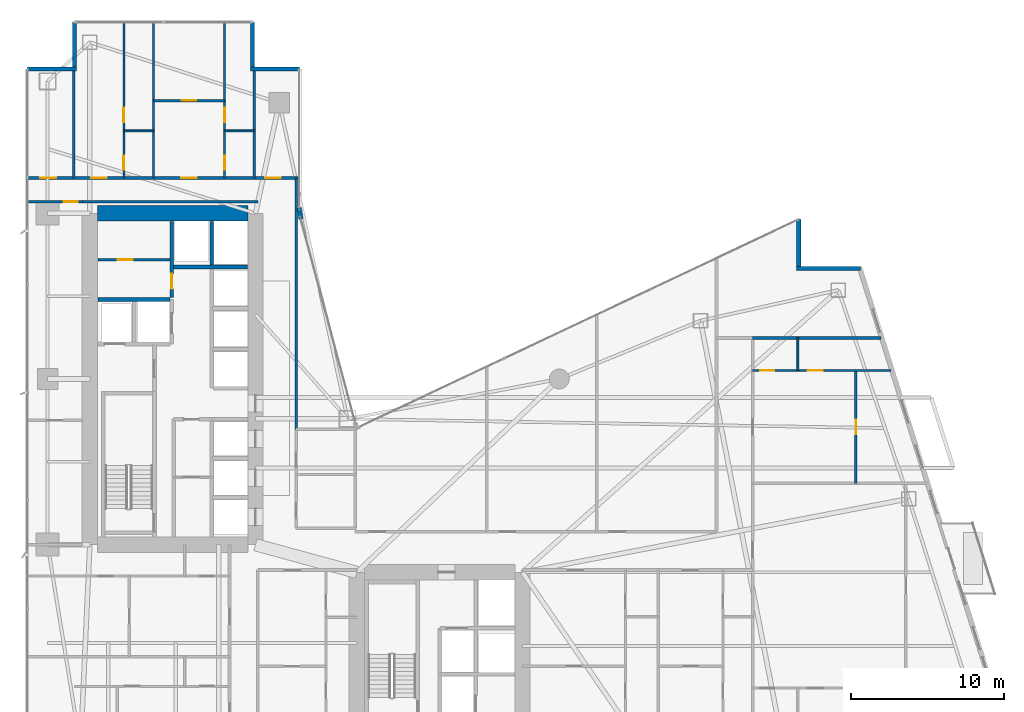
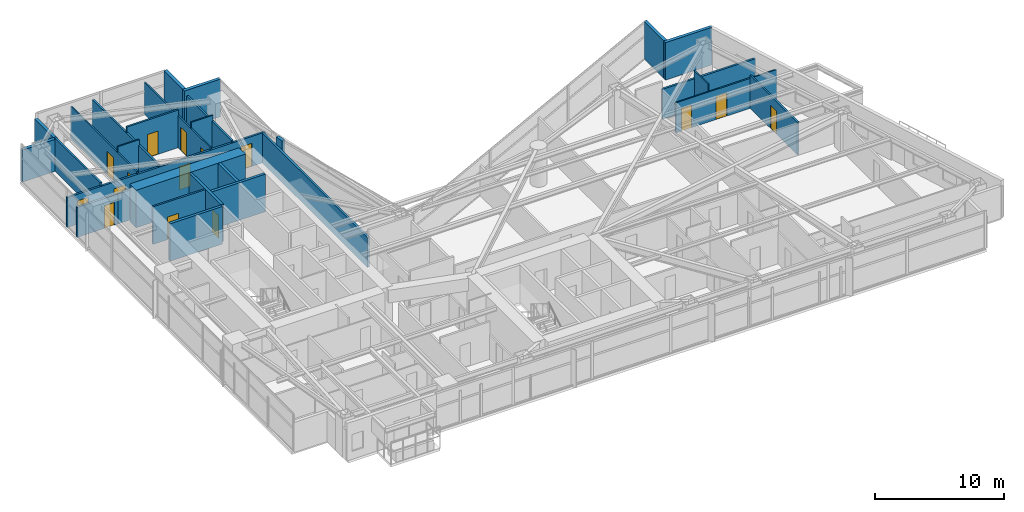
# One storey, part 25 of 29: 29 walls, 15 doors, 15 openings.
"""IFC4 building model written with IfcOpenShell, lengths in metres."""

from ifc_helpers import new_model, si_unit, direction, frame, frame_2d, origin, place, context, subcontext, project, spatial, rectangle, extrude, material, layer, layer_set, type_object, element, fill, save


model = new_model("IFC4")

# Units and contexts
model_context = context("Model", 3, precision=1e-05, world=origin(), true_north=direction((0.0, 1.0)))
body_context = subcontext(model_context, "Body", "Model", "MODEL_VIEW")
ifc_project = project(units=[si_unit("LENGTHUNIT", "METRE"), si_unit("AREAUNIT", "SQUARE_METRE"), si_unit("VOLUMEUNIT", "CUBIC_METRE"), si_unit("PLANEANGLEUNIT", "RADIAN"), si_unit("MASSUNIT", "GRAM", prefix="KILO")], contexts=[model_context])

# Site, building, storey
site_placement = place(None, origin())
site = spatial("IfcSite", under=ifc_project, at=site_placement, CompositionType="ELEMENT")
building_placement = place(site_placement, origin())
building = spatial("IfcBuilding", under=site, at=building_placement, Name="Calvorn Quay Hotel", CompositionType="ELEMENT")
storey_placement = place(building_placement, frame((0.0, 0.0, 38.39990234375)))
storey = spatial("IfcBuildingStorey", under=building, at=storey_placement, Name="L08", CompositionType="ELEMENT", Elevation=38.39990234375)

# Wall
ifc_material_1 = material(Name="Concrete C60", Category="concrete")
ifc_layer_1 = layer(ifc_material_1, 1.0)
ifc_layer_set_1 = layer_set([ifc_layer_1], Name="WL-CORE-1000")
wall_type_1 = type_object("IfcWallType", Name="WL-CORE-1000", PredefinedType="SHEAR", material=ifc_layer_set_1)
wall_1_placement = place(storey_placement, frame((4.699951171875, 38.39990234375, 0.0), z_axis=(0.0, 0.0, 1.0), x_axis=(1.0, 0.0, 0.0)))
element("IfcWall", 1, at=wall_1_placement, inside=storey, type_object=wall_type_1, Name="West Core Shear Wall N (L08)", PredefinedType="SHEAR", context=body_context, shape_type="SweptSolid", body=[
    extrude(rectangle(XDim=9.800048828125, YDim=1.0, at=frame_2d((4.89990234375, 0.0))), origin(), (0.0, 0.0, 1.0), 3.56005859375),
])

# Wall, opening, door
ifc_material_2 = material(Name="Acoustic Fireboard Steel-Stud Partition", Category="steel")
ifc_layer_2 = layer(ifc_material_2, 0.179931640625)
ifc_layer_set_2 = layer_set([ifc_layer_2], Name="WL-CORR-FIRE-180")
wall_type_2 = type_object("IfcWallType", Name="WL-CORR-FIRE-180", PredefinedType="PARTITIONING", material=ifc_layer_set_2)
wall_2_placement = place(storey_placement, frame((0.080078125, 39.14990234375, 0.0), z_axis=(0.0, 0.0, 1.0), x_axis=(1.0, 0.0, 0.0)))
wall_2 = element("IfcWall", 2, at=wall_2_placement, inside=storey, type_object=wall_type_2, Name="Partition Wall L08-WL-WBAY-N-DOOR", PredefinedType="PARTITIONING", context=body_context, shape_type="SweptSolid", body=[
    extrude(rectangle(XDim=3.64990234375, YDim=0.179931640625, at=frame_2d((1.824951171875, 0.0))), origin(), (0.0, 0.0, 1.0), 2.840087890625),
])
opening_1_placement = place(wall_2_placement, frame((2.429931640625, 0.0, 0.0)))
opening_1 = element("IfcOpeningElement", 3, at=opening_1_placement, cuts=wall_2, Name="Opening D-L08-WBN", PredefinedType="OPENING", context=body_context, shape_type="SweptSolid", body=[
    extrude(rectangle(XDim=0.89990234375, YDim=2.14990234375, at=frame_2d((0.449951171875, 1.074951171875))), frame((0.0, 0.099853515625, 0.0), z_axis=(0.0, -1.0, 0.0), x_axis=(1.0, 0.0, 0.0)), (0.0, 0.0, 1.0), 0.199951171875),
])
ifc_material_3 = material(Name="Moisture-Sealed Timber En-Suite Door", Category="wood")
door_type_1 = type_object("IfcDoorType", Name="DR-ENSUITE-900", OperationType="NOTDEFINED", PredefinedType="DOOR", material=ifc_material_3)
door_1_placement = place(opening_1_placement, origin())
door_1 = element("IfcDoor", 4, at=door_1_placement, inside=storey, type_object=door_type_1, Name="West North Bay Door (L08)", OperationType="SINGLE_SWING_LEFT", OverallHeight=2.14990234375, OverallWidth=0.89990234375, PredefinedType="DOOR", context=body_context, shape_type="SweptSolid", body=[
    extrude(rectangle(XDim=0.89990234375, YDim=2.14990234375, at=frame_2d((0.449951171875, 1.074951171875))), frame((0.0, 0.02490234375, 0.0), z_axis=(0.0, -1.0, 0.0), x_axis=(1.0, 0.0, 0.0)), (0.0, 0.0, 1.0), 0.050048828125),
])
fill(opening_1, door_1)

# Wall, openings, doors
wall_3_placement = place(storey_placement, frame((0.080078125, 40.699951171875, 0.0), z_axis=(0.0, 0.0, 1.0), x_axis=(1.0, 0.0, 0.0)))
wall_3 = element("IfcWall", 5, at=wall_3_placement, inside=storey, type_object=wall_type_2, Name="Partition Wall L08-WL-CORR-NW-N", PredefinedType="PARTITIONING", context=body_context, shape_type="SweptSolid", body=[
    extrude(rectangle(XDim=17.77001953125, YDim=0.179931640625, at=frame_2d((8.885009765625, 0.0))), origin(), (0.0, 0.0, 1.0), 2.840087890625),
])
opening_2_placement = place(wall_3_placement, frame((0.89990234375, 0.0, 0.0)))
opening_2 = element("IfcOpeningElement", 6, at=opening_2_placement, cuts=wall_3, Name="Opening D-L08-NWW", PredefinedType="OPENING", context=body_context, shape_type="SweptSolid", body=[
    extrude(rectangle(XDim=1.02001953125, YDim=2.199951171875, at=frame_2d((0.510009765625, 1.10009765625))), frame((0.0, 0.099853515625, 0.0), z_axis=(0.0, -1.0, 0.0), x_axis=(1.0, 0.0, 0.0)), (0.0, 0.0, 1.0), 0.199951171875),
])
opening_3_placement = place(wall_3_placement, frame((4.199951171875, 0.0, 0.0)))
opening_3 = element("IfcOpeningElement", 7, at=opening_3_placement, cuts=wall_3, Name="Opening D-L08-U04", PredefinedType="OPENING", context=body_context, shape_type="SweptSolid", body=[
    extrude(rectangle(XDim=1.02001953125, YDim=2.199951171875, at=frame_2d((0.510009765625, 1.10009765625))), frame((0.0, 0.099853515625, 0.0), z_axis=(0.0, -1.0, 0.0), x_axis=(1.0, 0.0, 0.0)), (0.0, 0.0, 1.0), 0.199951171875),
])
opening_4_placement = place(wall_3_placement, frame((10.080078125, 0.0, 0.0)))
opening_4 = element("IfcOpeningElement", 8, at=opening_4_placement, cuts=wall_3, Name="Opening D-L08-U05", PredefinedType="OPENING", context=body_context, shape_type="SweptSolid", body=[
    extrude(rectangle(XDim=1.02001953125, YDim=2.199951171875, at=frame_2d((0.510009765625, 1.10009765625))), frame((0.0, 0.099853515625, 0.0), z_axis=(0.0, -1.0, 0.0), x_axis=(1.0, 0.0, 0.0)), (0.0, 0.0, 1.0), 0.199951171875),
])
opening_5_placement = place(wall_3_placement, frame((15.550048828125, 0.0, 0.0)))
opening_5 = element("IfcOpeningElement", 9, at=opening_5_placement, cuts=wall_3, Name="Opening D-L08-NWE", PredefinedType="OPENING", context=body_context, shape_type="SweptSolid", body=[
    extrude(rectangle(XDim=1.02001953125, YDim=2.199951171875, at=frame_2d((0.510009765625, 1.10009765625))), frame((0.0, 0.099853515625, 0.0), z_axis=(0.0, -1.0, 0.0), x_axis=(1.0, 0.0, 0.0)), (0.0, 0.0, 1.0), 0.199951171875),
])
ifc_material_4 = material(Name="Solid-Core Walnut Veneer Hotel Fire Door")
door_type_2 = type_object("IfcDoorType", Name="DR-GUEST-ENTRY-1020", OperationType="NOTDEFINED", PredefinedType="DOOR", material=ifc_material_4)
door_2_placement = place(opening_2_placement, origin())
door_2 = element("IfcDoor", 10, at=door_2_placement, inside=storey, type_object=door_type_2, Name="West Corner Study Door (L08)", OperationType="SINGLE_SWING_LEFT", OverallHeight=2.199951171875, OverallWidth=1.02001953125, PredefinedType="DOOR", context=body_context, shape_type="SweptSolid", body=[
    extrude(rectangle(XDim=1.02001953125, YDim=2.199951171875, at=frame_2d((0.510009765625, 1.10009765625))), frame((0.0, 0.02490234375, 0.0), z_axis=(0.0, -1.0, 0.0), x_axis=(1.0, 0.0, 0.0)), (0.0, 0.0, 1.0), 0.050048828125),
])
fill(opening_2, door_2)
door_3_placement = place(opening_3_placement, origin())
door_3 = element("IfcDoor", 11, at=door_3_placement, inside=storey, type_object=door_type_2, Name="North-West Unit Door U04 (L08)", OperationType="SINGLE_SWING_RIGHT", OverallHeight=2.199951171875, OverallWidth=1.02001953125, PredefinedType="DOOR", context=body_context, shape_type="SweptSolid", body=[
    extrude(rectangle(XDim=1.02001953125, YDim=2.199951171875, at=frame_2d((0.510009765625, 1.10009765625))), frame((0.0, 0.02490234375, 0.0), z_axis=(0.0, -1.0, 0.0), x_axis=(1.0, 0.0, 0.0)), (0.0, 0.0, 1.0), 0.050048828125),
])
fill(opening_3, door_3)
door_4_placement = place(opening_4_placement, origin())
door_4 = element("IfcDoor", 12, at=door_4_placement, inside=storey, type_object=door_type_2, Name="North-West Unit Door U05 (L08)", OperationType="SINGLE_SWING_LEFT", OverallHeight=2.199951171875, OverallWidth=1.02001953125, PredefinedType="DOOR", context=body_context, shape_type="SweptSolid", body=[
    extrude(rectangle(XDim=1.02001953125, YDim=2.199951171875, at=frame_2d((0.510009765625, 1.10009765625))), frame((0.0, 0.02490234375, 0.0), z_axis=(0.0, -1.0, 0.0), x_axis=(1.0, 0.0, 0.0)), (0.0, 0.0, 1.0), 0.050048828125),
])
fill(opening_4, door_4)
door_5_placement = place(opening_5_placement, origin())
door_5 = element("IfcDoor", 13, at=door_5_placement, inside=storey, type_object=door_type_2, Name="Inner Court Study Door (L08)", OperationType="SINGLE_SWING_RIGHT", OverallHeight=2.199951171875, OverallWidth=1.02001953125, PredefinedType="DOOR", context=body_context, shape_type="SweptSolid", body=[
    extrude(rectangle(XDim=1.02001953125, YDim=2.199951171875, at=frame_2d((0.510009765625, 1.10009765625))), frame((0.0, 0.02490234375, 0.0), z_axis=(0.0, -1.0, 0.0), x_axis=(1.0, 0.0, 0.0)), (0.0, 0.0, 1.0), 0.050048828125),
])
fill(opening_5, door_5)

# Walls
wall_4_placement = place(storey_placement, frame((17.64990234375, 24.300048828125, 0.0), z_axis=(0.0, 0.0, 1.0), x_axis=(0.0, 1.0, 0.0)))
element("IfcWall", 14, at=wall_4_placement, inside=storey, type_object=wall_type_2, Name="Partition Wall L08-WL-NW-CLOSURE-E", PredefinedType="PARTITIONING", context=body_context, shape_type="SweptSolid", body=[
    extrude(rectangle(XDim=16.39990234375, YDim=0.179931640625, at=frame_2d((8.199951171875, 0.0))), origin(), (0.0, 0.0, 1.0), 2.840087890625),
])
wall_5_placement = place(storey_placement, frame((3.679931640625, 39.14990234375, 0.0), z_axis=(0.0, 0.0, 1.0), x_axis=(1.0, 0.0, 0.0)))
element("IfcWall", 15, at=wall_5_placement, inside=storey, type_object=wall_type_2, Name="Partition Wall L08-WL-W-SPUR-S", PredefinedType="PARTITIONING", context=body_context, shape_type="SweptSolid", body=[
    extrude(rectangle(XDim=11.469970703125, YDim=0.179931640625, at=frame_2d((5.73486328125, 0.0))), origin(), (0.0, 0.0, 1.0), 2.840087890625),
])
wall_6_placement = place(storey_placement, frame((47.39990234375, 30.280029296875, 0.0), z_axis=(0.0, 0.0, 1.0), x_axis=(1.0, 0.0, 0.0)))
element("IfcWall", 16, at=wall_6_placement, inside=storey, type_object=wall_type_2, Name="Partition Wall L08-WL-TIP-N", PredefinedType="PARTITIONING", context=body_context, shape_type="SweptSolid", body=[
    extrude(rectangle(XDim=8.360107421875, YDim=0.179931640625, at=frame_2d((4.18017578125, 0.0))), origin(), (0.0, 0.0, 1.0), 2.840087890625),
])
ifc_material_5 = material(Name="Moisture-Resistant Tile-Backed Partition")
ifc_layer_3 = layer(ifc_material_5, 0.125)
ifc_layer_set_3 = layer_set([ifc_layer_3], Name="WL-ENSUITE-125")
wall_type_3 = type_object("IfcWallType", Name="WL-ENSUITE-125", PredefinedType="PARTITIONING", material=ifc_layer_set_3)
wall_7_placement = place(storey_placement, frame((6.419921875, 43.77001953125, 0.0), z_axis=(0.0, 0.0, 1.0), x_axis=(1.0, 0.0, 0.0)))
element("IfcWall", 17, at=wall_7_placement, inside=storey, type_object=wall_type_3, Name="Partition Wall L08-WL-U04-BDV", PredefinedType="PARTITIONING", context=body_context, shape_type="SweptSolid", body=[
    extrude(rectangle(XDim=1.93017578125, YDim=0.125, at=frame_2d((0.965087890625, 0.0))), origin(), (0.0, 0.0, 1.0), 3.56005859375),
])

# Wall, openings, doors
wall_8_placement = place(storey_placement, frame((6.419921875, 40.699951171875, 0.0), z_axis=(0.0, 0.0, 1.0), x_axis=(0.0, 1.0, 0.0)))
wall_8 = element("IfcWall", 18, at=wall_8_placement, inside=storey, type_object=wall_type_3, Name="Partition Wall L08-WL-U04-BV", PredefinedType="PARTITIONING", context=body_context, shape_type="SweptSolid", body=[
    extrude(rectangle(XDim=10.239990234375, YDim=0.125, at=frame_2d((5.1201171875, 0.0))), origin(), (0.0, 0.0, 1.0), 3.0400390625),
])
opening_6_placement = place(wall_8_placement, frame((0.550048828125, 0.0, 0.0)))
opening_6 = element("IfcOpeningElement", 19, at=opening_6_placement, cuts=wall_8, Name="Opening D-L08-E04", PredefinedType="OPENING", context=body_context, shape_type="SweptSolid", body=[
    extrude(rectangle(XDim=0.89990234375, YDim=2.14990234375, at=frame_2d((0.449951171875, 1.074951171875))), frame((0.0, 0.072509765625, 0.0), z_axis=(0.0, -1.0, 0.0), x_axis=(1.0, 0.0, 0.0)), (0.0, 0.0, 1.0), 0.14501953125),
])
opening_7_placement = place(wall_8_placement, frame((3.6201171875, 0.0, 0.0)))
opening_7 = element("IfcOpeningElement", 20, at=opening_7_placement, cuts=wall_8, Name="Opening D-L08-S04", PredefinedType="OPENING", context=body_context, shape_type="SweptSolid", body=[
    extrude(rectangle(XDim=0.9599609375, YDim=2.199951171875, at=frame_2d((0.47998046875, 1.10009765625))), frame((0.0, 0.072509765625, 0.0), z_axis=(0.0, -1.0, 0.0), x_axis=(1.0, 0.0, 0.0)), (0.0, 0.0, 1.0), 0.14501953125),
])
door_6_placement = place(opening_6_placement, origin())
door_6 = element("IfcDoor", 21, at=door_6_placement, inside=storey, type_object=door_type_1, Name="En-Suite Door 04", OperationType="SINGLE_SWING_LEFT", OverallHeight=2.14990234375, OverallWidth=0.89990234375, PredefinedType="DOOR", context=body_context, shape_type="SweptSolid", body=[
    extrude(rectangle(XDim=0.89990234375, YDim=2.14990234375, at=frame_2d((0.449951171875, 1.074951171875))), frame((0.0, 0.02490234375, 0.0), z_axis=(0.0, -1.0, 0.0), x_axis=(1.0, 0.0, 0.0)), (0.0, 0.0, 1.0), 0.050048828125),
])
fill(opening_6, door_6)
ifc_material_6 = material(Name="Solid Timber Internal Suite Door", Category="wood")
door_type_3 = type_object("IfcDoorType", Name="DR-SUITE-INT-960", OperationType="NOTDEFINED", PredefinedType="DOOR", material=ifc_material_6)
door_7_placement = place(opening_7_placement, origin())
door_7 = element("IfcDoor", 22, at=door_7_placement, inside=storey, type_object=door_type_3, Name="Harbour Tea Room Door 04", OperationType="SINGLE_SWING_RIGHT", OverallHeight=2.199951171875, OverallWidth=0.9599609375, PredefinedType="DOOR", context=body_context, shape_type="SweptSolid", body=[
    extrude(rectangle(XDim=0.9599609375, YDim=2.199951171875, at=frame_2d((0.47998046875, 1.10009765625))), frame((0.0, 0.02490234375, 0.0), z_axis=(0.0, -1.0, 0.0), x_axis=(1.0, 0.0, 0.0)), (0.0, 0.0, 1.0), 0.050048828125),
])
fill(opening_7, door_7)

# Wall
wall_9_placement = place(storey_placement, frame((12.989990234375, 43.77001953125, 0.0), z_axis=(0.0, 0.0, 1.0), x_axis=(1.0, 0.0, 0.0)))
element("IfcWall", 23, at=wall_9_placement, inside=storey, type_object=wall_type_3, Name="Partition Wall L08-WL-U05-BDV", PredefinedType="PARTITIONING", context=body_context, shape_type="SweptSolid", body=[
    extrude(rectangle(XDim=1.929931640625, YDim=0.125, at=frame_2d((0.96484375, 0.0))), origin(), (0.0, 0.0, 1.0), 3.56005859375),
])

# Wall, openings, doors
wall_10_placement = place(storey_placement, frame((12.989990234375, 40.699951171875, 0.0), z_axis=(0.0, 0.0, 1.0), x_axis=(0.0, 1.0, 0.0)))
wall_10 = element("IfcWall", 24, at=wall_10_placement, inside=storey, type_object=wall_type_3, Name="Partition Wall L08-WL-U05-BV", PredefinedType="PARTITIONING", context=body_context, shape_type="SweptSolid", body=[
    extrude(rectangle(XDim=10.239990234375, YDim=0.125, at=frame_2d((5.1201171875, 0.0))), origin(), (0.0, 0.0, 1.0), 3.0400390625),
])
opening_8_placement = place(wall_10_placement, frame((0.550048828125, 0.0, 0.0)))
opening_8 = element("IfcOpeningElement", 25, at=opening_8_placement, cuts=wall_10, Name="Opening D-L08-E05", PredefinedType="OPENING", context=body_context, shape_type="SweptSolid", body=[
    extrude(rectangle(XDim=0.89990234375, YDim=2.14990234375, at=frame_2d((0.449951171875, 1.074951171875))), frame((0.0, 0.072509765625, 0.0), z_axis=(0.0, -1.0, 0.0), x_axis=(1.0, 0.0, 0.0)), (0.0, 0.0, 1.0), 0.14501953125),
])
opening_9_placement = place(wall_10_placement, frame((3.6201171875, 0.0, 0.0)))
opening_9 = element("IfcOpeningElement", 26, at=opening_9_placement, cuts=wall_10, Name="Opening D-L08-S05", PredefinedType="OPENING", context=body_context, shape_type="SweptSolid", body=[
    extrude(rectangle(XDim=0.9599609375, YDim=2.199951171875, at=frame_2d((0.47998046875, 1.10009765625))), frame((0.0, 0.072509765625, 0.0), z_axis=(0.0, -1.0, 0.0), x_axis=(1.0, 0.0, 0.0)), (0.0, 0.0, 1.0), 0.14501953125),
])
door_8_placement = place(opening_8_placement, origin())
door_8 = element("IfcDoor", 27, at=door_8_placement, inside=storey, type_object=door_type_1, Name="En-Suite Door 05", OperationType="SINGLE_SWING_LEFT", OverallHeight=2.14990234375, OverallWidth=0.89990234375, PredefinedType="DOOR", context=body_context, shape_type="SweptSolid", body=[
    extrude(rectangle(XDim=0.89990234375, YDim=2.14990234375, at=frame_2d((0.449951171875, 1.074951171875))), frame((0.0, 0.02490234375, 0.0), z_axis=(0.0, -1.0, 0.0), x_axis=(1.0, 0.0, 0.0)), (0.0, 0.0, 1.0), 0.050048828125),
])
fill(opening_8, door_8)
door_9_placement = place(opening_9_placement, origin())
door_9 = element("IfcDoor", 28, at=door_9_placement, inside=storey, type_object=door_type_3, Name="Harbour Tea Room Door 05", OperationType="SINGLE_SWING_RIGHT", OverallHeight=2.199951171875, OverallWidth=0.9599609375, PredefinedType="DOOR", context=body_context, shape_type="SweptSolid", body=[
    extrude(rectangle(XDim=0.9599609375, YDim=2.199951171875, at=frame_2d((0.47998046875, 1.10009765625))), frame((0.0, 0.02490234375, 0.0), z_axis=(0.0, -1.0, 0.0), x_axis=(1.0, 0.0, 0.0)), (0.0, 0.0, 1.0), 0.050048828125),
])
fill(opening_9, door_9)

# Wall
wall_11_placement = place(storey_placement, frame((50.35009765625, 28.14990234375, 0.0), z_axis=(0.0, 0.0, 1.0), x_axis=(0.0, 1.0, 0.0)))
element("IfcWall", 29, at=wall_11_placement, inside=storey, type_object=wall_type_3, Name="Partition Wall L08-WL-U09-BDV", PredefinedType="PARTITIONING", context=body_context, shape_type="SweptSolid", body=[
    extrude(rectangle(XDim=2.130126953125, YDim=0.125, at=frame_2d((1.06494140625, 0.0))), origin(), (0.0, 0.0, 1.0), 3.56005859375),
])

# Wall, openings, doors
wall_12_placement = place(storey_placement, frame((47.39990234375, 28.14990234375, 0.0), z_axis=(0.0, 0.0, 1.0), x_axis=(1.0, 0.0, 0.0)))
wall_12 = element("IfcWall", 30, at=wall_12_placement, inside=storey, type_object=wall_type_3, Name="Partition Wall L08-WL-U09-BH", PredefinedType="PARTITIONING", context=body_context, shape_type="SweptSolid", body=[
    extrude(rectangle(XDim=9.030029296875, YDim=0.125, at=frame_2d((4.51513671875, 0.0))), origin(), (0.0, 0.0, 1.0), 2.840087890625),
])
opening_10_placement = place(wall_12_placement, frame((0.5, 0.0, 0.0)))
opening_10 = element("IfcOpeningElement", 31, at=opening_10_placement, cuts=wall_12, Name="Opening D-L08-E09", PredefinedType="OPENING", context=body_context, shape_type="SweptSolid", body=[
    extrude(rectangle(XDim=0.89990234375, YDim=2.14990234375, at=frame_2d((0.449951171875, 1.074951171875))), frame((0.0, 0.072509765625, 0.0), z_axis=(0.0, -1.0, 0.0), x_axis=(1.0, 0.0, 0.0)), (0.0, 0.0, 1.0), 0.14501953125),
])
opening_11_placement = place(wall_12_placement, frame((3.60009765625, 0.0, 0.0)))
opening_11 = element("IfcOpeningElement", 32, at=opening_11_placement, cuts=wall_12, Name="Opening D-L08-S09", PredefinedType="OPENING", context=body_context, shape_type="SweptSolid", body=[
    extrude(rectangle(XDim=0.9599609375, YDim=2.199951171875, at=frame_2d((0.47998046875, 1.10009765625))), frame((0.0, 0.072509765625, 0.0), z_axis=(0.0, -1.0, 0.0), x_axis=(1.0, 0.0, 0.0)), (0.0, 0.0, 1.0), 0.14501953125),
])
door_10_placement = place(opening_10_placement, origin())
door_10 = element("IfcDoor", 33, at=door_10_placement, inside=storey, type_object=door_type_1, Name="En-Suite Door 09", OperationType="SINGLE_SWING_LEFT", OverallHeight=2.14990234375, OverallWidth=0.89990234375, PredefinedType="DOOR", context=body_context, shape_type="SweptSolid", body=[
    extrude(rectangle(XDim=0.89990234375, YDim=2.14990234375, at=frame_2d((0.449951171875, 1.074951171875))), frame((0.0, 0.02490234375, 0.0), z_axis=(0.0, -1.0, 0.0), x_axis=(1.0, 0.0, 0.0)), (0.0, 0.0, 1.0), 0.050048828125),
])
fill(opening_10, door_10)
door_11_placement = place(opening_11_placement, origin())
door_11 = element("IfcDoor", 34, at=door_11_placement, inside=storey, type_object=door_type_3, Name="Harbour Tea Room Door 09", OperationType="SINGLE_SWING_RIGHT", OverallHeight=2.199951171875, OverallWidth=0.9599609375, PredefinedType="DOOR", context=body_context, shape_type="SweptSolid", body=[
    extrude(rectangle(XDim=0.9599609375, YDim=2.199951171875, at=frame_2d((0.47998046875, 1.10009765625))), frame((0.0, 0.02490234375, 0.0), z_axis=(0.0, -1.0, 0.0), x_axis=(1.0, 0.0, 0.0)), (0.0, 0.0, 1.0), 0.050048828125),
])
fill(opening_11, door_11)

# Walls
ifc_material_7 = material(Name="Concrete C40", Category="concrete")
ifc_layer_4 = layer(ifc_material_7, 0.320068359375)
ifc_layer_set_4 = layer_set([ifc_layer_4], Name="WL-EXT-SPANDREL-320")
wall_type_4 = type_object("IfcWallType", Name="WL-EXT-SPANDREL-320", PredefinedType="SOLIDWALL", material=ifc_layer_set_4)
wall_13_placement = place(storey_placement, frame((17.9619140625, 38.030029296875, 0.0), z_axis=(0.0, 0.0, 1.0), x_axis=(-0.15141125477, 0.988470855377, 0.0)))
element("IfcWall", 35, at=wall_13_placement, inside=storey, type_object=wall_type_4, Name="Inner Court Corner Pier L08-ICJ2", PredefinedType="SOLIDWALL", context=body_context, shape_type="SweptSolid", body=[
    extrude(rectangle(XDim=0.738525390625, YDim=0.280029296875, at=frame_2d((0.369140625, 0.0))), origin(), (0.0, 0.0, 1.0), 3.56005859375),
])
wall_14_placement = place(storey_placement, frame((54.43994140625, 34.800048828125, 0.0), z_axis=(0.0, 0.0, 1.0), x_axis=(-1.0, 0.0, 0.0)))
element("IfcWall", 36, at=wall_14_placement, inside=storey, type_object=wall_type_4, Name="Notched Corner Spandrel L08-NE1", PredefinedType="SOLIDWALL", context=body_context, shape_type="SweptSolid", body=[
    extrude(rectangle(XDim=4.179931640625, YDim=0.280029296875, at=frame_2d((2.08984375, 0.0))), origin(), (0.0, 0.0, 1.0), 3.56005859375),
])
wall_15_placement = place(storey_placement, frame((50.39990234375, 34.93994140625, 0.0), z_axis=(0.0, 0.0, 1.0), x_axis=(0.0, 1.0, 0.0)))
element("IfcWall", 37, at=wall_15_placement, inside=storey, type_object=wall_type_4, Name="Notched Corner Spandrel L08-NE2", PredefinedType="SOLIDWALL", context=body_context, shape_type="SweptSolid", body=[
    extrude(rectangle(XDim=3.10009765625, YDim=0.280029296875, at=frame_2d((1.550048828125, 0.0))), origin(), (0.0, 0.0, 1.0), 3.56005859375),
])
wall_16_placement = place(storey_placement, frame((17.89990234375, 47.800048828125, 0.0), z_axis=(0.0, 0.0, 1.0), x_axis=(-1.0, 0.0, 0.0)))
element("IfcWall", 38, at=wall_16_placement, inside=storey, type_object=wall_type_4, Name="Notched Corner Spandrel L08-NWE1", PredefinedType="SOLIDWALL", context=body_context, shape_type="SweptSolid", body=[
    extrude(rectangle(XDim=3.239990234375, YDim=0.280029296875, at=frame_2d((1.6201171875, 0.0))), origin(), (0.0, 0.0, 1.0), 3.56005859375),
])
wall_17_placement = place(storey_placement, frame((14.800048828125, 47.93994140625, 0.0), z_axis=(0.0, 0.0, 1.0), x_axis=(0.0, 1.0, 0.0)))
element("IfcWall", 39, at=wall_17_placement, inside=storey, type_object=wall_type_4, Name="Notched Corner Spandrel L08-NWE2", PredefinedType="SOLIDWALL", context=body_context, shape_type="SweptSolid", body=[
    extrude(rectangle(XDim=2.93994140625, YDim=0.280029296875, at=frame_2d((1.469970703125, 0.0))), origin(), (0.0, 0.0, 1.0), 3.56005859375),
])
wall_18_placement = place(storey_placement, frame((3.199951171875, 50.8798828125, 0.0), z_axis=(0.0, 0.0, 1.0), x_axis=(0.0, -1.0, 0.0)))
element("IfcWall", 40, at=wall_18_placement, inside=storey, type_object=wall_type_4, Name="Notched Corner Spandrel L08-NW1", PredefinedType="SOLIDWALL", context=body_context, shape_type="SweptSolid", body=[
    extrude(rectangle(XDim=2.93994140625, YDim=0.280029296875, at=frame_2d((1.469970703125, 0.0))), origin(), (0.0, 0.0, 1.0), 3.0400390625),
])
wall_19_placement = place(storey_placement, frame((3.340087890625, 47.800048828125, 0.0), z_axis=(0.0, 0.0, 1.0), x_axis=(-1.0, 0.0, 0.0)))
element("IfcWall", 41, at=wall_19_placement, inside=storey, type_object=wall_type_4, Name="Notched Corner Spandrel L08-NW2", PredefinedType="SOLIDWALL", context=body_context, shape_type="SweptSolid", body=[
    extrude(rectangle(XDim=3.219970703125, YDim=0.280029296875, at=frame_2d((1.60986328125, 0.0))), origin(), (0.0, 0.0, 1.0), 3.0400390625),
])

# Wall, opening, door
ifc_material_8 = material(Name="Double-Stud Acoustic Gypsum Partition")
ifc_layer_5 = layer(ifc_material_8, 0.159912109375)
ifc_layer_set_5 = layer_set([ifc_layer_5], Name="WL-INTERSUITE-160")
wall_type_5 = type_object("IfcWallType", Name="WL-INTERSUITE-160", PredefinedType="PARTITIONING", material=ifc_layer_set_5)
wall_20_placement = place(storey_placement, frame((4.719970703125, 35.3798828125, 0.0), z_axis=(0.0, 0.0, 1.0), x_axis=(1.0, 0.0, 0.0)))
wall_20 = element("IfcWall", 42, at=wall_20_placement, inside=storey, type_object=wall_type_5, Name="Partition Wall L08-WL-CWW-K-MID", PredefinedType="PARTITIONING", context=body_context, shape_type="SweptSolid", body=[
    extrude(rectangle(XDim=4.699951171875, YDim=0.159912109375, at=frame_2d((2.35009765625, 0.0))), origin(), (0.0, 0.0, 1.0), 3.56005859375),
])
opening_12_placement = place(wall_20_placement, frame((1.300048828125, 0.0, 0.0)))
opening_12 = element("IfcOpeningElement", 43, at=opening_12_placement, cuts=wall_20, Name="Opening D-L08-CK2", PredefinedType="OPENING", context=body_context, shape_type="SweptSolid", body=[
    extrude(rectangle(XDim=0.97998046875, YDim=2.14990234375, at=frame_2d((0.489990234375, 1.074951171875))), frame((0.0, 0.08984375, 0.0), z_axis=(0.0, -1.0, 0.0), x_axis=(1.0, 0.0, 0.0)), (0.0, 0.0, 1.0), 0.179931640625),
])
ifc_material_9 = material(Name="Painted Steel Housekeeping/Riser Fire Door", Category="steel")
door_type_4 = type_object("IfcDoorType", Name="DR-SERVICE-980", OperationType="NOTDEFINED", PredefinedType="DOOR", material=ifc_material_9)
door_12_placement = place(opening_12_placement, origin())
door_12 = element("IfcDoor", 44, at=door_12_placement, inside=storey, type_object=door_type_4, Name="Electrical Riser Door (L08)", OperationType="SINGLE_SWING_RIGHT", OverallHeight=2.14990234375, OverallWidth=0.97998046875, PredefinedType="DOOR", context=body_context, shape_type="SweptSolid", body=[
    extrude(rectangle(XDim=0.97998046875, YDim=2.14990234375, at=frame_2d((0.489990234375, 1.074951171875))), frame((0.0, 0.02490234375, 0.0), z_axis=(0.0, -1.0, 0.0), x_axis=(1.0, 0.0, 0.0)), (0.0, 0.0, 1.0), 0.050048828125),
])
fill(opening_12, door_12)

# Walls
wall_21_placement = place(storey_placement, frame((3.14990234375, 40.699951171875, 0.0), z_axis=(0.0, 0.0, 1.0), x_axis=(0.0, 1.0, 0.0)))
element("IfcWall", 45, at=wall_21_placement, inside=storey, type_object=wall_type_5, Name="Partition Wall L08-WL-NW-DIV-W0", PredefinedType="PARTITIONING", context=body_context, shape_type="SweptSolid", body=[
    extrude(rectangle(XDim=7.10009765625, YDim=0.159912109375, at=frame_2d((3.550048828125, 0.0))), origin(), (0.0, 0.0, 1.0), 3.14013671875),
])
wall_22_placement = place(storey_placement, frame((14.919921875, 40.699951171875, 0.0), z_axis=(0.0, 0.0, 1.0), x_axis=(0.0, 1.0, 0.0)))
element("IfcWall", 46, at=wall_22_placement, inside=storey, type_object=wall_type_5, Name="Partition Wall L08-WL-NW-DIV-E0", PredefinedType="PARTITIONING", context=body_context, shape_type="SweptSolid", body=[
    extrude(rectangle(XDim=7.10009765625, YDim=0.159912109375, at=frame_2d((3.550048828125, 0.0))), origin(), (0.0, 0.0, 1.0), 3.0400390625),
])

# Wall, opening, door
wall_23_placement = place(storey_placement, frame((8.35009765625, 45.75, 0.0), z_axis=(0.0, 0.0, 1.0), x_axis=(1.0, 0.0, 0.0)))
wall_23 = element("IfcWall", 47, at=wall_23_placement, inside=storey, type_object=wall_type_5, Name="Partition Wall L08-WL-U05-MSP", PredefinedType="PARTITIONING", context=body_context, shape_type="SweptSolid", body=[
    extrude(rectangle(XDim=4.639892578125, YDim=0.159912109375, at=frame_2d((2.31982421875, 0.0))), origin(), (0.0, 0.0, 1.0), 3.56005859375),
])
opening_13_placement = place(wall_23_placement, frame((1.840087890625, 0.0, 0.0)))
opening_13 = element("IfcOpeningElement", 48, at=opening_13_placement, cuts=wall_23, Name="Opening D-L08-M05", PredefinedType="OPENING", context=body_context, shape_type="SweptSolid", body=[
    extrude(rectangle(XDim=0.9599609375, YDim=2.199951171875, at=frame_2d((0.47998046875, 1.10009765625))), frame((0.0, 0.08984375, 0.0), z_axis=(0.0, -1.0, 0.0), x_axis=(1.0, 0.0, 0.0)), (0.0, 0.0, 1.0), 0.179931640625),
])
door_13_placement = place(opening_13_placement, origin())
door_13 = element("IfcDoor", 49, at=door_13_placement, inside=storey, type_object=door_type_3, Name="Suite Bedroom Door 05", OperationType="SINGLE_SWING_LEFT", OverallHeight=2.199951171875, OverallWidth=0.9599609375, PredefinedType="DOOR", context=body_context, shape_type="SweptSolid", body=[
    extrude(rectangle(XDim=0.9599609375, YDim=2.199951171875, at=frame_2d((0.47998046875, 1.10009765625))), frame((0.0, 0.02490234375, 0.0), z_axis=(0.0, -1.0, 0.0), x_axis=(1.0, 0.0, 0.0)), (0.0, 0.0, 1.0), 0.050048828125),
])
fill(opening_13, door_13)

# Wall
wall_24_placement = place(storey_placement, frame((8.35009765625, 40.699951171875, 0.0), z_axis=(0.0, 0.0, 1.0), x_axis=(0.0, 1.0, 0.0)))
element("IfcWall", 50, at=wall_24_placement, inside=storey, type_object=wall_type_5, Name="Partition Wall L08-WL-NW-DIV-1", PredefinedType="PARTITIONING", context=body_context, shape_type="SweptSolid", body=[
    extrude(rectangle(XDim=10.239990234375, YDim=0.159912109375, at=frame_2d((5.1201171875, 0.0))), origin(), (0.0, 0.0, 1.0), 3.0400390625),
])

# Wall, opening, door
wall_25_placement = place(storey_placement, frame((54.1298828125, 20.800048828125, 0.0), z_axis=(0.0, 0.0, 1.0), x_axis=(0.0, 1.0, 0.0)))
wall_25 = element("IfcWall", 51, at=wall_25_placement, inside=storey, type_object=wall_type_5, Name="Partition Wall L08-WL-U09-MSP", PredefinedType="PARTITIONING", context=body_context, shape_type="SweptSolid", body=[
    extrude(rectangle(XDim=7.349853515625, YDim=0.159912109375, at=frame_2d((3.6748046875, 0.0))), origin(), (0.0, 0.0, 1.0), 3.090087890625),
])
opening_14_placement = place(wall_25_placement, frame((3.18994140625, 0.0, 0.0)))
opening_14 = element("IfcOpeningElement", 52, at=opening_14_placement, cuts=wall_25, Name="Opening D-L08-M09", PredefinedType="OPENING", context=body_context, shape_type="SweptSolid", body=[
    extrude(rectangle(XDim=0.9599609375, YDim=2.199951171875, at=frame_2d((0.47998046875, 1.10009765625))), frame((0.0, 0.08984375, 0.0), z_axis=(0.0, -1.0, 0.0), x_axis=(1.0, 0.0, 0.0)), (0.0, 0.0, 1.0), 0.179931640625),
])
door_14_placement = place(opening_14_placement, origin())
door_14 = element("IfcDoor", 53, at=door_14_placement, inside=storey, type_object=door_type_3, Name="Suite Bedroom Door 09", OperationType="SINGLE_SWING_LEFT", OverallHeight=2.199951171875, OverallWidth=0.9599609375, PredefinedType="DOOR", context=body_context, shape_type="SweptSolid", body=[
    extrude(rectangle(XDim=0.9599609375, YDim=2.199951171875, at=frame_2d((0.47998046875, 1.10009765625))), frame((0.0, 0.02490234375, 0.0), z_axis=(0.0, -1.0, 0.0), x_axis=(1.0, 0.0, 0.0)), (0.0, 0.0, 1.0), 0.050048828125),
])
fill(opening_14, door_14)

ifc_material_10 = material(Name="Autoclaved Aerated Masonry Block", Category="masonry")
ifc_layer_6 = layer(ifc_material_10, 0.219970703125)
ifc_layer_set_6 = layer_set([ifc_layer_6], Name="WL-LOBBY-FIRE-220")
wall_type_6 = type_object("IfcWallType", Name="WL-LOBBY-FIRE-220", PredefinedType="SOLIDWALL", material=ifc_layer_set_6)
wall_26_placement = place(storey_placement, frame((9.5400390625, 32.919921875, 0.0), z_axis=(0.0, 0.0, 1.0), x_axis=(0.0, 1.0, 0.0)))
wall_26 = element("IfcWall", 54, at=wall_26_placement, inside=storey, type_object=wall_type_6, Name="Partition Wall L08-WL-CWW-K-E", PredefinedType="SOLIDWALL", context=body_context, shape_type="SweptSolid", body=[
    extrude(rectangle(XDim=4.9599609375, YDim=0.219970703125, at=frame_2d((2.47998046875, 0.0))), origin(), (0.0, 0.0, 1.0), 3.56005859375),
])
opening_15_placement = place(wall_26_placement, frame((0.550048828125, 0.0, 0.0)))
opening_15 = element("IfcOpeningElement", 55, at=opening_15_placement, cuts=wall_26, Name="Opening D-L08-CK1", PredefinedType="OPENING", context=body_context, shape_type="SweptSolid", body=[
    extrude(rectangle(XDim=0.97998046875, YDim=2.14990234375, at=frame_2d((0.489990234375, 1.074951171875))), frame((0.0, 0.119873046875, 0.0), z_axis=(0.0, -1.0, 0.0), x_axis=(1.0, 0.0, 0.0)), (0.0, 0.0, 1.0), 0.239990234375),
])
door_15_placement = place(opening_15_placement, origin())
door_15 = element("IfcDoor", 56, at=door_15_placement, inside=storey, type_object=door_type_4, Name="Core Housekeeping Door (L08)", OperationType="SINGLE_SWING_LEFT", OverallHeight=2.14990234375, OverallWidth=0.97998046875, PredefinedType="DOOR", context=body_context, shape_type="SweptSolid", body=[
    extrude(rectangle(XDim=0.97998046875, YDim=2.14990234375, at=frame_2d((0.489990234375, 1.074951171875))), frame((0.0, 0.02490234375, 0.0), z_axis=(0.0, -1.0, 0.0), x_axis=(1.0, 0.0, 0.0)), (0.0, 0.0, 1.0), 0.050048828125),
])
fill(opening_15, door_15)

# Walls
ifc_material_11 = material(Name="Concrete C40", Category="concrete")
ifc_layer_7 = layer(ifc_material_11, 0.239990234375)
ifc_layer_set_7 = layer_set([ifc_layer_7], Name="WL-SHAFT-240")
wall_type_7 = type_object("IfcWallType", Name="WL-SHAFT-240", PredefinedType="SOLIDWALL", material=ifc_layer_set_7)
wall_27_placement = place(storey_placement, frame((4.719970703125, 32.780029296875, 0.0), z_axis=(0.0, 0.0, 1.0), x_axis=(1.0, 0.0, 0.0)))
element("IfcWall", 57, at=wall_27_placement, inside=storey, type_object=wall_type_7, Name="Partition Wall L08-WL-CWW-SLW-N", PredefinedType="SOLIDWALL", context=body_context, shape_type="SweptSolid", body=[
    extrude(rectangle(XDim=4.699951171875, YDim=0.239990234375, at=frame_2d((2.35009765625, 0.0))), origin(), (0.0, 0.0, 1.0), 3.56005859375),
])
wall_28_placement = place(storey_placement, frame((9.659912109375, 34.89990234375, 0.0), z_axis=(0.0, 0.0, 1.0), x_axis=(1.0, 0.0, 0.0)))
element("IfcWall", 58, at=wall_28_placement, inside=storey, type_object=wall_type_7, Name="Partition Wall L08-WL-CWW-PLH-S", PredefinedType="SOLIDWALL", context=body_context, shape_type="SweptSolid", body=[
    extrude(rectangle(XDim=4.820068359375, YDim=0.239990234375, at=frame_2d((2.41015625, 0.0))), origin(), (0.0, 0.0, 1.0), 3.56005859375),
])
wall_29_placement = place(storey_placement, frame((12.14990234375, 35.02001953125, 0.0), z_axis=(0.0, 0.0, 1.0), x_axis=(0.0, 1.0, 0.0)))
element("IfcWall", 59, at=wall_29_placement, inside=storey, type_object=wall_type_7, Name="Partition Wall L08-WL-CWW-PLH-DIV", PredefinedType="SOLIDWALL", context=body_context, shape_type="SweptSolid", body=[
    extrude(rectangle(XDim=2.85986328125, YDim=0.239990234375, at=frame_2d((1.429931640625, 0.0))), origin(), (0.0, 0.0, 1.0), 3.56005859375),
])

save(model, "model.ifc")
